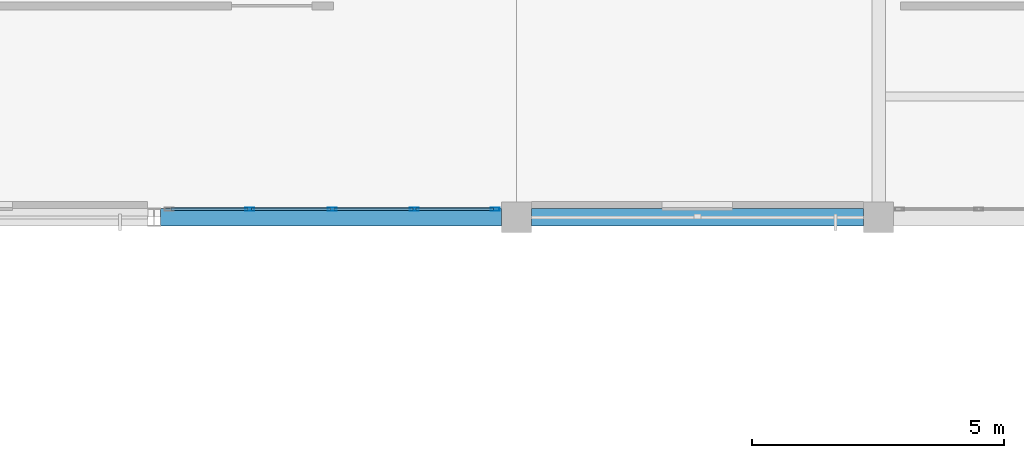
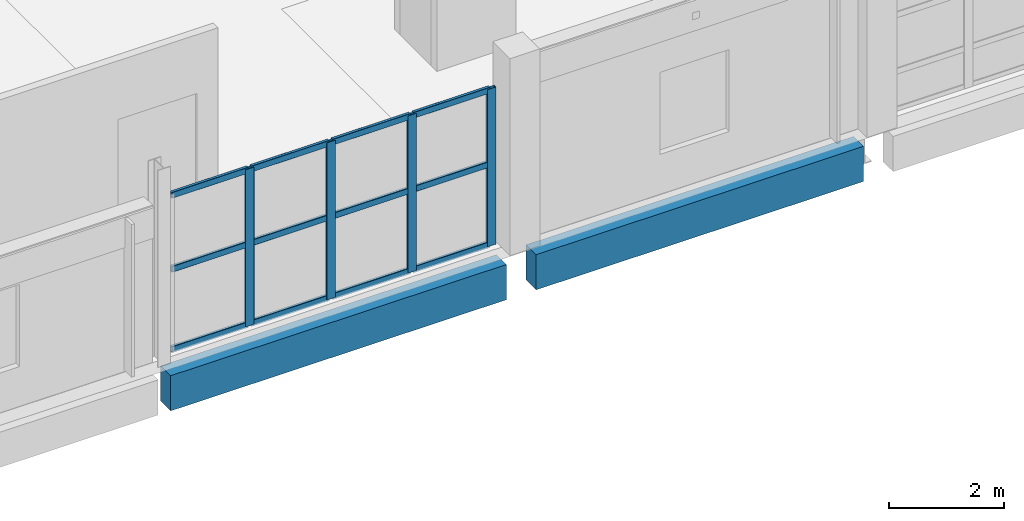
# One storey, part 43 of 94: 16 members, 2 beams, 1 element without a shape of its own.
"""IFC4 building model written with IfcOpenShell, lengths in metres."""

from ifc_helpers import new_model, si_unit, direction, frame, origin, origin_2d, place, context, subcontext, project, spatial, rectangle, hollow_rectangle, extrude, material, material_profile, profile_set, type_object, element, aggregate, save


model = new_model("IFC4")

# Units and contexts
model_context = context("Model", 3, precision=1e-05, world=origin(), true_north=direction((0.0, 1.0)))
body_context = subcontext(model_context, "Body", "Model", "MODEL_VIEW")
ifc_project = project(units=[si_unit("LENGTHUNIT", "METRE"), si_unit("AREAUNIT", "SQUARE_METRE"), si_unit("VOLUMEUNIT", "CUBIC_METRE"), si_unit("PLANEANGLEUNIT", "RADIAN"), si_unit("MASSUNIT", "GRAM", prefix="KILO")], contexts=[model_context])

# Site, building, storey
site_placement = place(None, origin())
site = spatial("IfcSite", under=ifc_project, at=site_placement, CompositionType="ELEMENT")
building_placement = place(site_placement, origin())
building = spatial("IfcBuilding", under=site, at=building_placement, Name="Kalmorath City Hall", CompositionType="ELEMENT")
storey_placement = place(building_placement, frame((0.0, 0.0, 14.699951171875)))
storey = spatial("IfcBuildingStorey", under=building, at=storey_placement, Name="L03", CompositionType="ELEMENT", Elevation=14.699951171875)

# Curtain wall, members
ifc_material_1 = material(Name="Anodised aluminium and laminated glass", Category="aluminium")
curtain_wall_type = type_object("IfcCurtainWallType", Name="Unitised hurricane curtain wall 6544x3352 M1750", PredefinedType="NOTDEFINED", material=ifc_material_1)
curtain_wall_placement = place(storey_placement, origin())
curtain_wall = element("IfcCurtainWall", 1, at=curtain_wall_placement, inside=storey, type_object=curtain_wall_type, Name="L03 curtain wall CW-65X34M18 #149", PredefinedType="NOTDEFINED")
ifc_material_2 = material(Name="Anodised aluminium framing", Category="aluminium")
ifc_material_profile_1 = material_profile(ifc_material_2, hollow_rectangle(XDim=0.06494140625, YDim=0.179931640625, WallThickness=0.00390625, InnerFilletRadius=0.00390625, OuterFilletRadius=0.008056640625, at=origin_2d()), Name="ALU-MUL-180X65X4")
ifc_profile_set_1 = profile_set([ifc_material_profile_1], Name="Anodised aluminium framing")
member_type_1 = type_object("IfcMemberType", Name="Curtain-wall courtyard mullion 180x65", PredefinedType="MULLION", material=ifc_profile_set_1)
member_1_placement = place(storey_placement, frame((57.177490234375, 93.760009765625, 0.0), z_axis=(0.0, 0.0, 1.0), x_axis=(0.0, -1.0, 0.0)))
member_1 = element("IfcMember", 2, at=member_1_placement, type_object=member_type_1, Name="CW-65X34M18 mullion 1", PredefinedType="MULLION", context=body_context, shape_type="SweptSolid", body=[
    extrude(hollow_rectangle(XDim=0.06494140625, YDim=0.179931640625, WallThickness=0.00390625, InnerFilletRadius=0.00390625, OuterFilletRadius=0.008056640625, at=origin_2d()), origin(), (0.0, 0.0, 1.0), 3.35205078125),
])
member_2_placement = place(storey_placement, frame((55.57421875, 93.760009765625, 0.0), z_axis=(0.0, 0.0, 1.0), x_axis=(0.0, -1.0, 0.0)))
member_2 = element("IfcMember", 3, at=member_2_placement, type_object=member_type_1, Name="CW-65X34M18 mullion 2", PredefinedType="MULLION", context=body_context, shape_type="SweptSolid", body=[
    extrude(hollow_rectangle(XDim=0.06494140625, YDim=0.179931640625, WallThickness=0.00390625, InnerFilletRadius=0.00390625, OuterFilletRadius=0.008056640625, at=origin_2d()), origin(), (0.0, 0.0, 1.0), 3.35205078125),
])
member_3_placement = place(storey_placement, frame((53.938232421875, 93.760009765625, 0.0), z_axis=(0.0, 0.0, 1.0), x_axis=(0.0, -1.0, 0.0)))
member_3 = element("IfcMember", 4, at=member_3_placement, type_object=member_type_1, Name="CW-65X34M18 mullion 3", PredefinedType="MULLION", context=body_context, shape_type="SweptSolid", body=[
    extrude(hollow_rectangle(XDim=0.06494140625, YDim=0.179931640625, WallThickness=0.00390625, InnerFilletRadius=0.00390625, OuterFilletRadius=0.008056640625, at=origin_2d()), origin(), (0.0, 0.0, 1.0), 3.35205078125),
])
member_4_placement = place(storey_placement, frame((52.302490234375, 93.760009765625, 0.0), z_axis=(0.0, 0.0, 1.0), x_axis=(0.0, -1.0, 0.0)))
member_4 = element("IfcMember", 5, at=member_4_placement, type_object=member_type_1, Name="CW-65X34M18 mullion 4", PredefinedType="MULLION", context=body_context, shape_type="SweptSolid", body=[
    extrude(hollow_rectangle(XDim=0.06494140625, YDim=0.179931640625, WallThickness=0.00390625, InnerFilletRadius=0.00390625, OuterFilletRadius=0.008056640625, at=origin_2d()), origin(), (0.0, 0.0, 1.0), 3.35205078125),
])
ifc_material_3 = material(Name="Anodised aluminium framing", Category="aluminium")
ifc_material_profile_2 = material_profile(ifc_material_3, hollow_rectangle(XDim=0.06005859375, YDim=0.1298828125, WallThickness=0.00341796875, InnerFilletRadius=0.00341796875, OuterFilletRadius=0.007080078125, at=origin_2d()), Name="ALU-TRN-130X60X3.5")
ifc_profile_set_2 = profile_set([ifc_material_profile_2], Name="Anodised aluminium framing")
member_type_2 = type_object("IfcMemberType", Name="Curtain-wall courtyard transom 130x60", PredefinedType="USERDEFINED", material=ifc_profile_set_2)
member_5_placement = place(storey_placement, frame((57.14501953125, 93.760009765625, 0.030029296875), z_axis=(-1.0, 0.0, 0.0), x_axis=(0.0, -1.0, 0.0)))
member_5 = element("IfcMember", 6, at=member_5_placement, type_object=member_type_2, Name="CW-65X34M18 transom 1.1", ObjectType="TRANSOM", PredefinedType="USERDEFINED", context=body_context, shape_type="SweptSolid", body=[
    extrude(hollow_rectangle(XDim=0.06005859375, YDim=0.1298828125, WallThickness=0.00341796875, InnerFilletRadius=0.00341796875, OuterFilletRadius=0.007080078125, at=origin_2d()), origin(), (0.0, 0.0, 1.0), 1.538330078125),
])
member_6_placement = place(storey_placement, frame((57.14501953125, 93.760009765625, 1.7431640625), z_axis=(-1.0, 0.0, 0.0), x_axis=(0.0, -1.0, 0.0)))
member_6 = element("IfcMember", 7, at=member_6_placement, type_object=member_type_2, Name="CW-65X34M18 transom 1.2", ObjectType="TRANSOM", PredefinedType="USERDEFINED", context=body_context, shape_type="SweptSolid", body=[
    extrude(hollow_rectangle(XDim=0.06005859375, YDim=0.1298828125, WallThickness=0.00341796875, InnerFilletRadius=0.00341796875, OuterFilletRadius=0.007080078125, at=origin_2d()), origin(), (0.0, 0.0, 1.0), 1.538330078125),
])
member_7_placement = place(storey_placement, frame((57.14501953125, 93.760009765625, 3.322021484375), z_axis=(-1.0, 0.0, 0.0), x_axis=(0.0, -1.0, 0.0)))
member_7 = element("IfcMember", 8, at=member_7_placement, type_object=member_type_2, Name="CW-65X34M18 transom 1.3", ObjectType="TRANSOM", PredefinedType="USERDEFINED", context=body_context, shape_type="SweptSolid", body=[
    extrude(hollow_rectangle(XDim=0.06005859375, YDim=0.1298828125, WallThickness=0.00341796875, InnerFilletRadius=0.00341796875, OuterFilletRadius=0.007080078125, at=origin_2d()), origin(), (0.0, 0.0, 1.0), 1.538330078125),
])
member_8_placement = place(storey_placement, frame((55.54150390625, 93.760009765625, 0.030029296875), z_axis=(-1.0, 0.0, 0.0), x_axis=(0.0, -1.0, 0.0)))
member_8 = element("IfcMember", 9, at=member_8_placement, type_object=member_type_2, Name="CW-65X34M18 transom 2.1", ObjectType="TRANSOM", PredefinedType="USERDEFINED", context=body_context, shape_type="SweptSolid", body=[
    extrude(hollow_rectangle(XDim=0.06005859375, YDim=0.1298828125, WallThickness=0.00341796875, InnerFilletRadius=0.00341796875, OuterFilletRadius=0.007080078125, at=origin_2d()), origin(), (0.0, 0.0, 1.0), 1.57080078125),
])
member_9_placement = place(storey_placement, frame((55.54150390625, 93.760009765625, 1.7431640625), z_axis=(-1.0, 0.0, 0.0), x_axis=(0.0, -1.0, 0.0)))
member_9 = element("IfcMember", 10, at=member_9_placement, type_object=member_type_2, Name="CW-65X34M18 transom 2.2", ObjectType="TRANSOM", PredefinedType="USERDEFINED", context=body_context, shape_type="SweptSolid", body=[
    extrude(hollow_rectangle(XDim=0.06005859375, YDim=0.1298828125, WallThickness=0.00341796875, InnerFilletRadius=0.00341796875, OuterFilletRadius=0.007080078125, at=origin_2d()), origin(), (0.0, 0.0, 1.0), 1.57080078125),
])
member_10_placement = place(storey_placement, frame((55.54150390625, 93.760009765625, 3.322021484375), z_axis=(-1.0, 0.0, 0.0), x_axis=(0.0, -1.0, 0.0)))
member_10 = element("IfcMember", 11, at=member_10_placement, type_object=member_type_2, Name="CW-65X34M18 transom 2.3", ObjectType="TRANSOM", PredefinedType="USERDEFINED", context=body_context, shape_type="SweptSolid", body=[
    extrude(hollow_rectangle(XDim=0.06005859375, YDim=0.1298828125, WallThickness=0.00341796875, InnerFilletRadius=0.00341796875, OuterFilletRadius=0.007080078125, at=origin_2d()), origin(), (0.0, 0.0, 1.0), 1.57080078125),
])
member_11_placement = place(storey_placement, frame((53.90576171875, 93.760009765625, 0.030029296875), z_axis=(-1.0, 0.0, 0.0), x_axis=(0.0, -1.0, 0.0)))
member_11 = element("IfcMember", 12, at=member_11_placement, type_object=member_type_2, Name="CW-65X34M18 transom 3.1", ObjectType="TRANSOM", PredefinedType="USERDEFINED", context=body_context, shape_type="SweptSolid", body=[
    extrude(hollow_rectangle(XDim=0.06005859375, YDim=0.1298828125, WallThickness=0.00341796875, InnerFilletRadius=0.00341796875, OuterFilletRadius=0.007080078125, at=origin_2d()), origin(), (0.0, 0.0, 1.0), 1.57080078125),
])
member_12_placement = place(storey_placement, frame((53.90576171875, 93.760009765625, 1.7431640625), z_axis=(-1.0, 0.0, 0.0), x_axis=(0.0, -1.0, 0.0)))
member_12 = element("IfcMember", 13, at=member_12_placement, type_object=member_type_2, Name="CW-65X34M18 transom 3.2", ObjectType="TRANSOM", PredefinedType="USERDEFINED", context=body_context, shape_type="SweptSolid", body=[
    extrude(hollow_rectangle(XDim=0.06005859375, YDim=0.1298828125, WallThickness=0.00341796875, InnerFilletRadius=0.00341796875, OuterFilletRadius=0.007080078125, at=origin_2d()), origin(), (0.0, 0.0, 1.0), 1.57080078125),
])
member_13_placement = place(storey_placement, frame((53.90576171875, 93.760009765625, 3.322021484375), z_axis=(-1.0, 0.0, 0.0), x_axis=(0.0, -1.0, 0.0)))
member_13 = element("IfcMember", 14, at=member_13_placement, type_object=member_type_2, Name="CW-65X34M18 transom 3.3", ObjectType="TRANSOM", PredefinedType="USERDEFINED", context=body_context, shape_type="SweptSolid", body=[
    extrude(hollow_rectangle(XDim=0.06005859375, YDim=0.1298828125, WallThickness=0.00341796875, InnerFilletRadius=0.00341796875, OuterFilletRadius=0.007080078125, at=origin_2d()), origin(), (0.0, 0.0, 1.0), 1.57080078125),
])
member_14_placement = place(storey_placement, frame((52.269775390625, 93.760009765625, 0.030029296875), z_axis=(-1.0, 0.0, 0.0), x_axis=(0.0, -1.0, 0.0)))
member_14 = element("IfcMember", 15, at=member_14_placement, type_object=member_type_2, Name="CW-65X34M18 transom 4.1", ObjectType="TRANSOM", PredefinedType="USERDEFINED", context=body_context, shape_type="SweptSolid", body=[
    extrude(hollow_rectangle(XDim=0.06005859375, YDim=0.1298828125, WallThickness=0.00341796875, InnerFilletRadius=0.00341796875, OuterFilletRadius=0.007080078125, at=origin_2d()), origin(), (0.0, 0.0, 1.0), 1.538330078125),
])
member_15_placement = place(storey_placement, frame((52.269775390625, 93.760009765625, 1.7431640625), z_axis=(-1.0, 0.0, 0.0), x_axis=(0.0, -1.0, 0.0)))
member_15 = element("IfcMember", 16, at=member_15_placement, type_object=member_type_2, Name="CW-65X34M18 transom 4.2", ObjectType="TRANSOM", PredefinedType="USERDEFINED", context=body_context, shape_type="SweptSolid", body=[
    extrude(hollow_rectangle(XDim=0.06005859375, YDim=0.1298828125, WallThickness=0.00341796875, InnerFilletRadius=0.00341796875, OuterFilletRadius=0.007080078125, at=origin_2d()), origin(), (0.0, 0.0, 1.0), 1.538330078125),
])
member_16_placement = place(storey_placement, frame((52.269775390625, 93.760009765625, 3.322021484375), z_axis=(-1.0, 0.0, 0.0), x_axis=(0.0, -1.0, 0.0)))
member_16 = element("IfcMember", 17, at=member_16_placement, type_object=member_type_2, Name="CW-65X34M18 transom 4.3", ObjectType="TRANSOM", PredefinedType="USERDEFINED", context=body_context, shape_type="SweptSolid", body=[
    extrude(hollow_rectangle(XDim=0.06005859375, YDim=0.1298828125, WallThickness=0.00341796875, InnerFilletRadius=0.00341796875, OuterFilletRadius=0.007080078125, at=origin_2d()), origin(), (0.0, 0.0, 1.0), 1.538330078125),
])
aggregate(curtain_wall, [member_1, member_2, member_3, member_4, member_5, member_6, member_7, member_8, member_9, member_10, member_11, member_12, member_13, member_14, member_15, member_16])

# Beams
ifc_material_4 = material(Name="Precast concrete C40/50", Category="concrete")
ifc_material_profile_3 = material_profile(ifc_material_4, rectangle(XDim=0.35009765625, YDim=0.75, at=origin_2d()), Name="PC-SP-350X750")
ifc_profile_set_3 = profile_set([ifc_material_profile_3], Name="Precast concrete C40/50")
beam_type = type_object("IfcBeamType", Name="Precast spandrel lintel 350x750", PredefinedType="LINTEL", material=ifc_profile_set_3)
beam_1_placement = place(storey_placement, frame((50.527099609375, 93.60009765625, -0.638916015625), z_axis=(1.0, 0.0, 0.0), x_axis=(0.0, 1.0, 0.0)))
element("IfcBeam", 18, at=beam_1_placement, inside=storey, type_object=beam_type, Name="L03 girder PSB1 X8-9/14", PredefinedType="LINTEL", context=body_context, shape_type="SweptSolid", body=[
    extrude(rectangle(XDim=0.35009765625, YDim=0.75, at=origin_2d()), origin(), (0.0, 0.0, 1.0), 6.77294921875),
])
beam_2_placement = place(storey_placement, frame((57.89990234375, 93.60009765625, -0.638916015625), z_axis=(1.0, 0.0, 0.0), x_axis=(0.0, 1.0, 0.0)))
element("IfcBeam", 19, at=beam_2_placement, inside=storey, type_object=beam_type, Name="L03 girder PSB1 X9-10/14", PredefinedType="LINTEL", context=body_context, shape_type="SweptSolid", body=[
    extrude(rectangle(XDim=0.35009765625, YDim=0.75, at=origin_2d()), origin(), (0.0, 0.0, 1.0), 6.60009765625),
])

save(model, "model.ifc")
